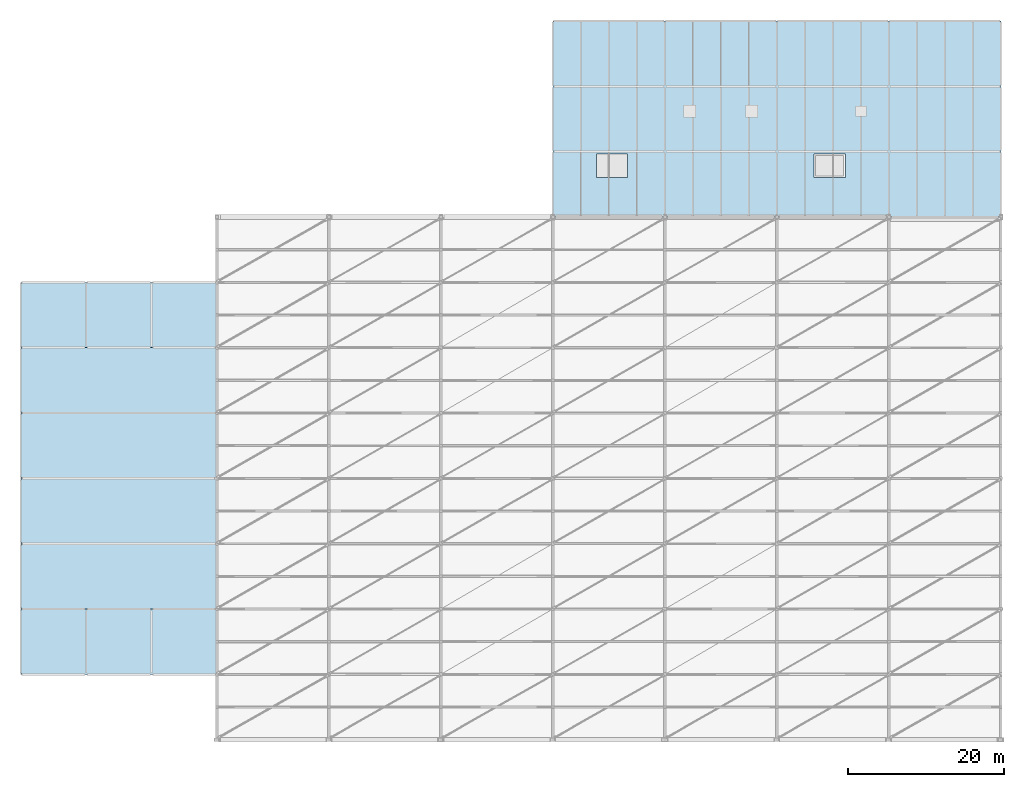
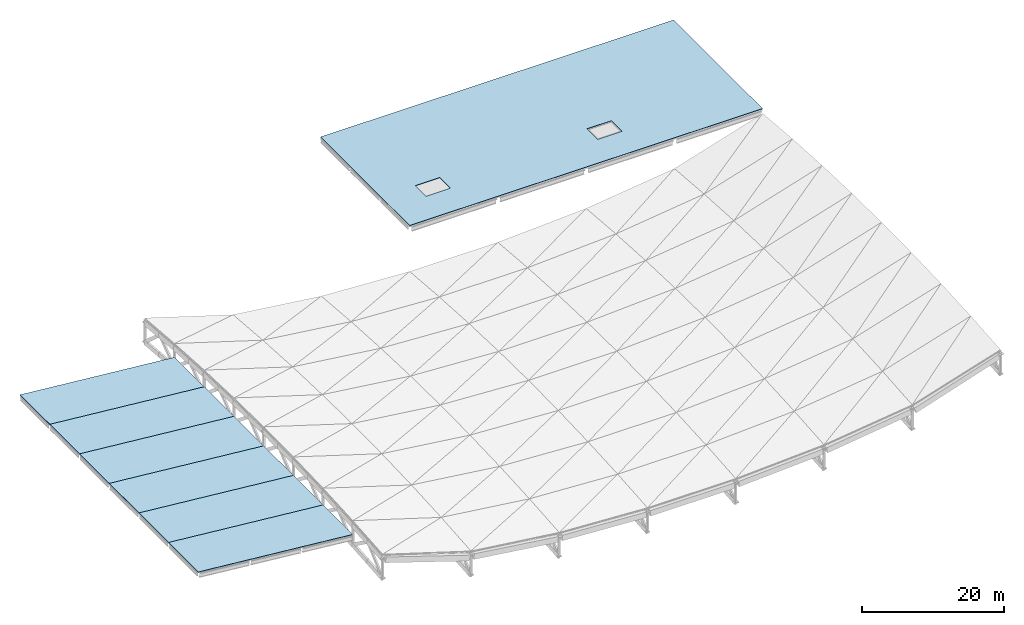
# One storey, part 20 of 22: 7 roofs.
"""IFC4 building model written with IfcOpenShell, lengths in metres."""

from ifc_helpers import new_model, si_unit, direction, frame, origin, place, context, subcontext, project, spatial, polyline, outline, extrude, material, layer, layer_set, type_object, element, save


model = new_model("IFC4")

# Units and contexts
model_context = context("Model", 3, precision=1e-05, world=origin(), true_north=direction((0.0, 1.0)))
body_context = subcontext(model_context, "Body", "Model", "MODEL_VIEW")
ifc_project = project(units=[si_unit("LENGTHUNIT", "METRE"), si_unit("AREAUNIT", "SQUARE_METRE"), si_unit("VOLUMEUNIT", "CUBIC_METRE"), si_unit("PLANEANGLEUNIT", "RADIAN"), si_unit("MASSUNIT", "GRAM", prefix="KILO"), si_unit("THERMODYNAMICTEMPERATUREUNIT", "KELVIN")], contexts=[model_context])

# Site, building, storey
site_placement = place(None, origin())
site = spatial("IfcSite", under=ifc_project, at=site_placement, CompositionType="ELEMENT")
building_placement = place(site_placement, origin())
building = spatial("IfcBuilding", under=site, at=building_placement, Name="Nduvali Passage Aquatics Centre", CompositionType="ELEMENT")
storey_placement = place(building_placement, frame((0.0, 0.0, 21.60009765625)))
storey = spatial("IfcBuildingStorey", under=building, at=storey_placement, Name="RF", CompositionType="ELEMENT", Elevation=21.60009765625)

# Roofs
ifc_material_1 = material(Name="Concrete C40/50", Category="concrete")
ifc_layer_1 = layer(ifc_material_1, 0.219970703125, Name="Concrete C40/50")
ifc_layer_set_1 = layer_set([ifc_layer_1], Name="Concrete C40/50")
roof_type_1 = type_object("IfcRoofType", Name="ARCH-ROOF-FLAT", PredefinedType="FLAT_ROOF", material=ifc_layer_set_1)
roof_1_placement = place(storey_placement, origin())
element("IfcRoof", 1, at=roof_1_placement, inside=storey, type_object=roof_type_1, Name="RF North-East Wing Main Flat Roof Assembly", PredefinedType="FLAT_ROOF", context=body_context, shape_type="SweptSolid", body=[
    extrude(outline(polyline([(68.39990234375, 92.39990234375), (126.0, 92.39990234375), (126.0, 117.60009765625), (68.39990234375, 117.60009765625), (68.39990234375, 92.39990234375)]), holes=[polyline([(74.0, 97.5), (78.0, 97.5), (78.0, 100.5), (74.0, 100.5), (74.0, 97.5)]), polyline([(102.0, 97.5), (106.0, 97.5), (106.0, 100.5), (102.0, 100.5), (102.0, 97.5)])]), origin(), (0.0, 0.0, 1.0), 0.079833984375),
])
ifc_material_2 = material(Name="Steel S355", Category="steel")
ifc_layer_2 = layer(ifc_material_2, 0.159912109375, Name="Steel S355")
ifc_layer_set_2 = layer_set([ifc_layer_2], Name="Steel S355")
roof_type_2 = type_object("IfcRoofType", Name="ARCH-ROOF-SHED", PredefinedType="SHED_ROOF", material=ifc_layer_set_2)
for number, where, z_axis, x_axis, name in (
    (2, (0.0, 33.60009765625, -0.070068359375), (0.092855115125, 0.0, 0.995679631003), (0.995679631003, 0.0, -0.092855115125), "RF Diving Pavilion Sloped Roof Assembly 1"),
    (3, (0.0, 42.0, -0.070068359375), (0.092855115125, 0.0, 0.995679631003), (0.995679631003, 0.0, -0.092855115125), "RF Diving Pavilion Sloped Roof Assembly 2"),
):
    element("IfcRoof", number, at=place(storey_placement, frame(where, z_axis=z_axis, x_axis=x_axis)), inside=storey, type_object=roof_type_2, Name=name, PredefinedType="SHED_ROOF", context=body_context, shape_type="SweptSolid", body=[
        extrude(outline(polyline([(0.0, 0.0), (25.309296672542995, 0.0), (25.309296672542995, 8.39990234375), (0.0, 8.39990234375), (0.0, 0.0)])), origin(), (0.0, 0.0, -1.0), 0.080078125),
    ])
roof_2_placement = place(storey_placement, frame((0.0, 50.39990234375, -0.070068359375), z_axis=(0.092855115125, 0.0, 0.995679631003), x_axis=(0.995679631003, 0.0, -0.092855115125)))
element("IfcRoof", 4, at=roof_2_placement, inside=storey, type_object=roof_type_2, Name="RF Diving Pavilion Sloped Roof Assembly 3", PredefinedType="SHED_ROOF", context=body_context, shape_type="SweptSolid", body=[
    extrude(outline(polyline([(0.0, 0.0), (25.309296672542995, 0.0), (25.309296672542995, 8.400146484375), (0.0, 8.400146484375), (0.0, 0.0)])), origin(), (0.0, 0.0, -1.0), 0.080078125),
])
roof_3_placement = place(storey_placement, frame((0.0, 58.800048828125, -0.070068359375), z_axis=(0.092855115125, 0.0, 0.995679631003), x_axis=(0.995679631003, 0.0, -0.092855115125)))
element("IfcRoof", 5, at=roof_3_placement, inside=storey, type_object=roof_type_2, Name="RF Diving Pavilion Sloped Roof Assembly 4", PredefinedType="SHED_ROOF", context=body_context, shape_type="SweptSolid", body=[
    extrude(outline(polyline([(0.0, 0.0), (25.309296672542995, 0.0), (25.309296672542995, 8.39990234375), (0.0, 8.39990234375), (0.0, 0.0)])), origin(), (0.0, 0.0, -1.0), 0.080078125),
])
roof_4_placement = place(storey_placement, frame((0.0, 67.199951171875, -0.070068359375), z_axis=(0.092855115125, 0.0, 0.995679631003), x_axis=(0.995679631003, 0.0, -0.092855115125)))
element("IfcRoof", 6, at=roof_4_placement, inside=storey, type_object=roof_type_2, Name="RF Diving Pavilion Sloped Roof Assembly 5", PredefinedType="SHED_ROOF", context=body_context, shape_type="SweptSolid", body=[
    extrude(outline(polyline([(0.0, 0.0), (25.309296672542995, 0.0), (25.309296672542995, 8.400146484375), (0.0, 8.400146484375), (0.0, 0.0)])), origin(), (0.0, 0.0, -1.0), 0.080078125),
])
roof_5_placement = place(storey_placement, frame((0.0, 75.60009765625, -0.070068359375), z_axis=(0.092855115125, 0.0, 0.995679631003), x_axis=(0.995679631003, 0.0, -0.092855115125)))
element("IfcRoof", 7, at=roof_5_placement, inside=storey, type_object=roof_type_2, Name="RF Diving Pavilion Sloped Roof Assembly 6", PredefinedType="SHED_ROOF", context=body_context, shape_type="SweptSolid", body=[
    extrude(outline(polyline([(0.0, 0.0), (25.309296672542995, 0.0), (25.309296672542995, 8.39990234375), (0.0, 8.39990234375), (0.0, 0.0)])), origin(), (0.0, 0.0, -1.0), 0.080078125),
])

save(model, "model.ifc")
